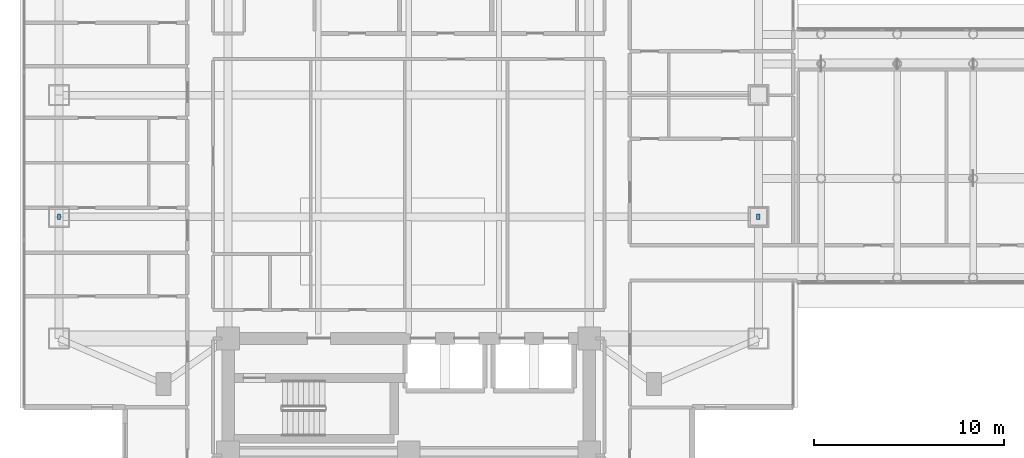
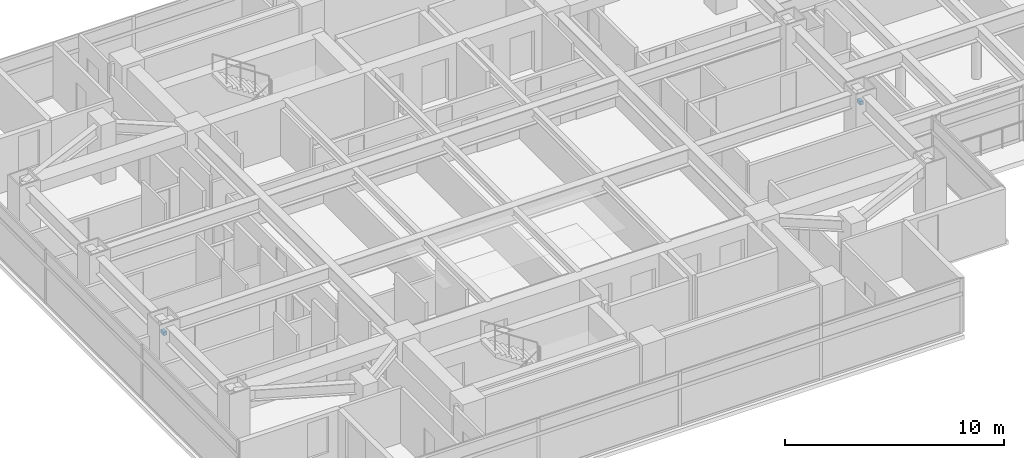
# One storey, part 23 of 29: 2 discrete accessories.
"""IFC4 building model written with IfcOpenShell, lengths in metres."""

from ifc_helpers import new_model, si_unit, direction, frame, origin, origin_2d, place, context, subcontext, project, spatial, rectangle, extrude, material, type_object, element, save


model = new_model("IFC4")

# Units and contexts
model_context = context("Model", 3, precision=1e-05, world=origin(), true_north=direction((0.0, 1.0)))
body_context = subcontext(model_context, "Body", "Model", "MODEL_VIEW")
ifc_project = project(units=[si_unit("LENGTHUNIT", "METRE"), si_unit("AREAUNIT", "SQUARE_METRE"), si_unit("VOLUMEUNIT", "CUBIC_METRE"), si_unit("PLANEANGLEUNIT", "RADIAN"), si_unit("MASSUNIT", "GRAM", prefix="KILO")], contexts=[model_context])

# Site, building, storey
site_placement = place(None, origin())
site = spatial("IfcSite", under=ifc_project, at=site_placement, CompositionType="ELEMENT")
building_placement = place(site_placement, origin())
building = spatial("IfcBuilding", under=site, at=building_placement, Name="Mirazonda Arch Towers", CompositionType="ELEMENT")
storey_placement = place(building_placement, frame((0.0, 0.0, 88.39990234375)))
storey = spatial("IfcBuildingStorey", under=building, at=storey_placement, Name="L24", CompositionType="ELEMENT", Elevation=88.39990234375)

# Discrete accessories
ifc_material = material(Name="Steel ASTM A572 Grade 50", Category="steel")
discrete_accessory_type = type_object("IfcDiscreteAccessoryType", Name="BRACKET-FACADE", PredefinedType="BRACKET", material=ifc_material)
for number, where, z_axis, x_axis, name in (
    (1, (2.10009765625, 24.800048828125, 2.30029296875), (0.0, 0.0, 1.0), (1.0, 0.0, 0.0), "L24 Facade Support Bracket 03"),
    (2, (38.89990234375, 24.800048828125, 2.30029296875), (0.0, 0.0, 1.0), (1.0, 0.0, 0.0), "L24 Facade Support Bracket 04"),
):
    element("IfcDiscreteAccessory", number, at=place(storey_placement, frame(where, z_axis=z_axis, x_axis=x_axis)), inside=storey, type_object=discrete_accessory_type, Name=name, PredefinedType="BRACKET", context=body_context, shape_type="SweptSolid", body=[
        extrude(rectangle(XDim=0.179931640625, YDim=0.280029296875, at=origin_2d()), origin(), (0.0, 0.0, 1.0), 0.199951171875),
    ])

save(model, "model.ifc")
